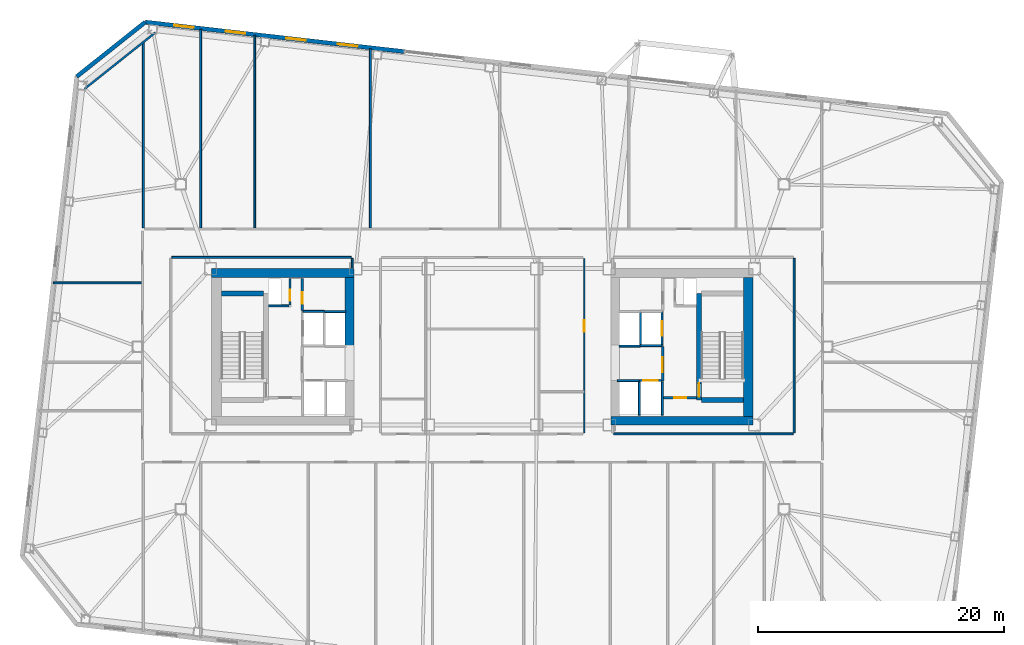
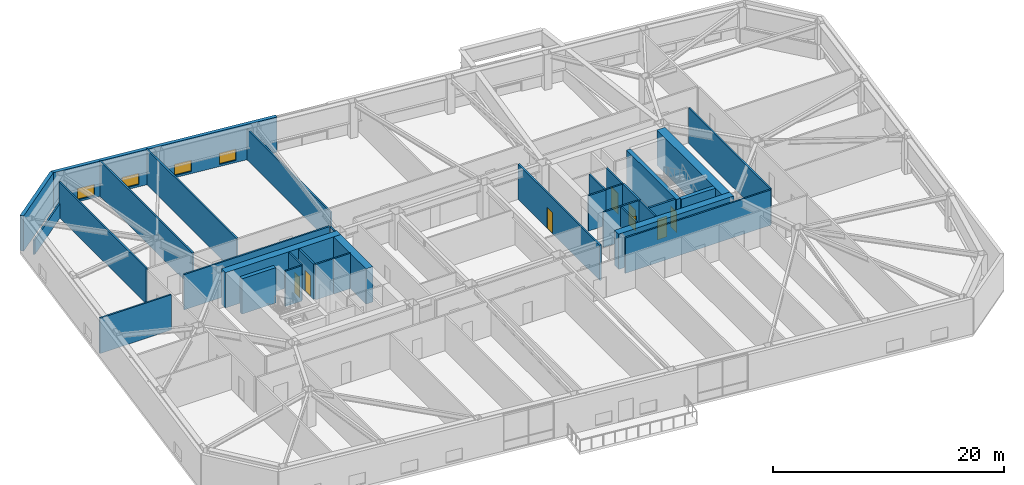
# One storey, part 13 of 21: 35 walls, 8 doors, 4 windows, 12 openings.
"""IFC4 building model written with IfcOpenShell, lengths in metres."""

import ifcopenshell
import ifcopenshell.guid

model = None  # the IFC model being written
_history = None  # IfcOwnerHistory: only IFC2X3 demands one
_inside = {}  # id of a spatial element -> (the spatial element, [elements in it])
_under = {}  # id of a project, library or spatial element -> (it, [spatial elements below it])
_declared = {}  # id of a project -> (the project, [libraries it declares])
_typed = {}  # id of a type object -> (the type object, [elements of that type])
_made_of = {}  # id of a material, layer set ... -> (it, [elements and type objects made of it])


def new_model(schema):
    """Start an empty IFC model of exactly this schema.

    Asked for "IFC4X3", IfcOpenShell would pick the latest addendum, in which some entities
    have other attributes; the version numbers below select the first issue.
    IFC2X3 requires an IfcOwnerHistory on every rooted entity: one is made here for all.
    """
    global model, _history
    if schema == "IFC4X3":
        model = ifcopenshell.file(schema_version=(4, 3, 0, 0))
    else:
        model = ifcopenshell.file(schema=schema)
    _inside.clear()
    _under.clear()
    _declared.clear()
    _typed.clear()
    _made_of.clear()
    _history = None
    if model.schema == "IFC2X3":
        org = make("IfcOrganization", Name="unknown")
        user = make(
            "IfcPersonAndOrganization",
            ThePerson=make("IfcPerson", FamilyName="unknown"),
            TheOrganization=org,
        )
        app = make(
            "IfcApplication",
            ApplicationDeveloper=org,
            Version="unknown",
            ApplicationFullName="unknown",
            ApplicationIdentifier="unknown",
        )
        _history = make(
            "IfcOwnerHistory",
            OwningUser=user,
            OwningApplication=app,
            ChangeAction="ADDED",
            CreationDate=0,
        )
    return model


def make(cls, **values):
    """One entity of the class cls with the attributes given. An attribute that is None is left unset."""
    return model.create_entity(
        cls, **{name: value for name, value in values.items() if value is not None}
    )


def rooted(cls, **values):
    """An entity with a GlobalId (a new one), such as an element, a storey or a relation."""
    return make(cls, GlobalId=ifcopenshell.guid.new(), OwnerHistory=_history, **values)


def si_unit(unit_type, name, prefix=None):
    """IfcSIUnit, for example si_unit("LENGTHUNIT", "METRE", prefix="MILLI")."""
    return make("IfcSIUnit", UnitType=unit_type, Prefix=prefix, Name=name)


def assignment(units):
    """IfcUnitAssignment: the units of a project."""
    return None if units is None else make("IfcUnitAssignment", Units=units)


def point(xyz):
    """IfcCartesianPoint."""
    return None if xyz is None else make("IfcCartesianPoint", Coordinates=xyz)


def direction(xyz):
    """IfcDirection."""
    return None if xyz is None else make("IfcDirection", DirectionRatios=xyz)


def frame(location, z_axis=None, x_axis=None):
    """IfcAxis2Placement3D, a coordinate frame: its origin and axes. An axis left out is left unset."""
    return make(
        "IfcAxis2Placement3D",
        Location=point(location),
        Axis=direction(z_axis),
        RefDirection=direction(x_axis),
    )


def frame_2d(location, x_axis=None):
    """IfcAxis2Placement2D, a coordinate frame in the plane: its origin and x axis."""
    return make(
        "IfcAxis2Placement2D", Location=point(location), RefDirection=direction(x_axis)
    )


def origin():
    """The frame at (0, 0, 0) with its axes left unset."""
    return frame((0.0, 0.0, 0.0))


def place(relative_to, where):
    """IfcLocalPlacement: puts the frame where relative to a parent placement (None: the world)."""
    return make(
        "IfcLocalPlacement", PlacementRelTo=relative_to, RelativePlacement=where
    )


def context(
    kind, dimensions, precision=None, world=None, true_north=None, identifier=None
):
    """IfcGeometricRepresentationContext, for example the 3D "Model" context."""
    return make(
        "IfcGeometricRepresentationContext",
        ContextIdentifier=identifier,
        ContextType=kind,
        CoordinateSpaceDimension=dimensions,
        Precision=precision,
        WorldCoordinateSystem=world,
        TrueNorth=true_north,
    )


def subcontext(parent, identifier, kind, view, scale=None):
    """IfcGeometricRepresentationSubContext, for example "Body" below "Model"."""
    return make(
        "IfcGeometricRepresentationSubContext",
        ContextIdentifier=identifier,
        ContextType=kind,
        ParentContext=parent,
        TargetScale=scale,
        TargetView=view,
    )


def project(units=None, contexts=None):
    """IfcProject with its units and contexts."""
    return rooted(
        "IfcProject",
        Name="project",
        RepresentationContexts=contexts,
        UnitsInContext=assignment(units),
    )


def spatial(cls, under=None, at=None, **own):
    """A site, building, storey or space (cls), placed at a placement, below another one or the project."""
    s = rooted(cls, ObjectPlacement=at, **own)
    if under is not None:
        _under.setdefault(under.id(), (under, []))[1].append(s)
    return s


def profile(cls, at=None, kind="AREA", **sizes):
    """A parametric profile (cls). Its sizes go by their IFC names, for example OverallWidth=200.0."""
    return make(cls, ProfileType=kind, Position=at, **sizes)


def rectangle(**sizes):
    """IfcRectangleProfileDef."""
    return profile("IfcRectangleProfileDef", **sizes)


def extrude(swept, where, along, depth):
    """IfcExtrudedAreaSolid: the profile swept, set in the frame where, extruded along a direction by depth."""
    return make(
        "IfcExtrudedAreaSolid",
        SweptArea=swept,
        Position=where,
        ExtrudedDirection=direction(along),
        Depth=depth,
    )


def shape(context_of_items, identifier, shape_type, items):
    """IfcShapeRepresentation: the items that make up one representation, for example the "Body"."""
    return make(
        "IfcShapeRepresentation",
        ContextOfItems=context_of_items,
        RepresentationIdentifier=identifier,
        RepresentationType=shape_type,
        Items=items,
    )


def material(Name=None, Category=None):
    """IfcMaterial."""
    return make("IfcMaterial", Name=Name, Category=Category)


def layer(
    of_material, thickness, ventilated=None, Name=None, Category=None, Priority=None
):
    """IfcMaterialLayer: one layer of a wall or slab, of a material (None: an air gap)."""
    return make(
        "IfcMaterialLayer",
        Material=of_material,
        LayerThickness=thickness,
        IsVentilated=ventilated,
        Name=Name,
        Category=Category,
        Priority=Priority,
    )


def layer_set(layers, Name=None):
    """IfcMaterialLayerSet."""
    return make("IfcMaterialLayerSet", MaterialLayers=layers, LayerSetName=Name)


def made_of(thing, what):
    """Note that an element or type object is made of a material, layer set ...; save() writes the relation."""
    if what is not None:
        _made_of.setdefault(what.id(), (what, []))[1].append(thing)
    return thing


def type_object(cls, material=None, **own):
    """A type object (cls), such as IfcWallType, which elements share."""
    return made_of(rooted(cls, **own), material)


def element(
    cls,
    number,
    at=None,
    inside=None,
    cuts=None,
    type_object=None,
    material=None,
    context=None,
    identifier="Body",
    shape_type=None,
    held_by="IfcProductDefinitionShape",
    body=None,
    shapes=None,
    **own,
):
    """One element of the class cls, such as IfcWall. Its Tag is "e" and its number.

    at: its placement. inside: the storey or other place that contains it. cuts: it is an
    opening in that element (IfcRelVoidsElement). A single representation is given by context,
    identifier, shape_type and body (its items); several are given by shapes. held_by: the class
    of the entity that holds the representations. save() writes the other relations.
    """
    e = rooted(cls, Tag="e%d" % number, ObjectPlacement=at, **own)
    if body is not None:
        shapes = [shape(context, identifier, shape_type, body)]
    if shapes is not None:
        e.Representation = make(held_by, Representations=shapes)
    if inside is not None:
        _inside.setdefault(inside.id(), (inside, []))[1].append(e)
    if cuts is not None:
        rooted(
            "IfcRelVoidsElement", RelatingBuildingElement=cuts, RelatedOpeningElement=e
        )
    if type_object is not None:
        _typed.setdefault(type_object.id(), (type_object, []))[1].append(e)
    return made_of(e, material)


def fill(opening, filler):
    """IfcRelFillsElement: the door or window that sits in an opening."""
    return rooted(
        "IfcRelFillsElement",
        RelatingOpeningElement=opening,
        RelatedBuildingElement=filler,
    )


def aggregate(whole, parts):
    """IfcRelAggregates: a whole, such as a stair, and the parts it consists of."""
    return rooted("IfcRelAggregates", RelatingObject=whole, RelatedObjects=parts)


def save(model, path):
    """Write the relations noted so far, then the file.

    IfcRelAggregates (storeys below a building ...), IfcRelContainedInSpatialStructure (elements
    in a storey), IfcRelDefinesByType, IfcRelAssociatesMaterial and IfcRelDeclares: one each for
    every whole, place, type object, material and project.
    """
    for whole, parts in _under.values():
        aggregate(whole, parts)
    for where, things in _inside.values():
        rooted(
            "IfcRelContainedInSpatialStructure",
            RelatedElements=things,
            RelatingStructure=where,
        )
    for kind, things in _typed.values():
        rooted("IfcRelDefinesByType", RelatedObjects=things, RelatingType=kind)
    for what, things in _made_of.values():
        rooted("IfcRelAssociatesMaterial", RelatedObjects=things, RelatingMaterial=what)
    for by, libraries in _declared.values():
        rooted("IfcRelDeclares", RelatingContext=by, RelatedDefinitions=libraries)
    model.write(path)


model = new_model("IFC4")

# Units and contexts
model_context = context("Model", 3, precision=1e-05, world=origin(), true_north=direction((0.0, 1.0)))
body_context = subcontext(model_context, "Body", "Model", "MODEL_VIEW")
ifc_project = project(units=[si_unit("LENGTHUNIT", "METRE"), si_unit("AREAUNIT", "SQUARE_METRE"), si_unit("VOLUMEUNIT", "CUBIC_METRE"), si_unit("PLANEANGLEUNIT", "RADIAN"), si_unit("MASSUNIT", "GRAM", prefix="KILO")], contexts=[model_context])

# Site, building, storey
site_placement = place(None, origin())
site = spatial("IfcSite", under=ifc_project, at=site_placement, CompositionType="ELEMENT")
building_placement = place(site_placement, origin())
building = spatial("IfcBuilding", under=site, at=building_placement, Name="Tavrogorsk Clinical Tower", CompositionType="ELEMENT")
storey_placement = place(building_placement, frame((0.0, 0.0, 109.39990234375)))
storey = spatial("IfcBuildingStorey", under=building, at=storey_placement, Name="L24", CompositionType="ELEMENT", Elevation=109.39990234375)

# Wall, opening, door
ifc_material_1 = material(Name="Concrete B60", Category="concrete")
ifc_layer_1 = layer(ifc_material_1, 0.199951171875)
ifc_layer_set_1 = layer_set([ifc_layer_1], Name="Concrete B60")
wall_type_1 = type_object("IfcWallType", Name="CoreFireWall_200", PredefinedType="SOLIDWALL", material=ifc_layer_set_1)
wall_1_placement = place(storey_placement, frame((-14.639892578125, 2.9599609375, 0.0), z_axis=(0.0, 0.0, 1.0), x_axis=(0.0, 1.0, 0.0)))
wall_1 = element("IfcWall", 1, at=wall_1_placement, inside=storey, type_object=wall_type_1, Name="L24 Core West North Core Room East Wall", PredefinedType="SOLIDWALL", context=body_context, shape_type="SweptSolid", body=[
    extrude(rectangle(XDim=2.60009765625, YDim=0.199951171875, at=frame_2d((1.300048828125, 0.0))), origin(), (0.0, 0.0, 1.0), 3.739990234375),
])
opening_1_placement = place(wall_1_placement, frame((0.52001953125, 0.0, 0.0)))
opening_1 = element("IfcOpeningElement", 2, at=opening_1_placement, cuts=wall_1, Name="Opening ID-02", PredefinedType="OPENING", context=body_context, shape_type="SweptSolid", body=[
    extrude(rectangle(XDim=0.949951171875, YDim=2.199951171875, at=frame_2d((0.47509765625, 1.10009765625))), frame((0.0, 0.10986328125, 0.0), z_axis=(0.0, -1.0, 0.0), x_axis=(1.0, 0.0, 0.0)), (0.0, 0.0, 1.0), 0.219970703125),
])
ifc_material_2 = material(Name="Laminated timber leaf on aluminium frame", Category="wood")
door_type_1 = type_object("IfcDoorType", Name="InteriorDoor_ID02_950", OperationType="NOTDEFINED", PredefinedType="DOOR", material=ifc_material_2)
door_1_placement = place(opening_1_placement, origin())
door_1 = element("IfcDoor", 3, at=door_1_placement, inside=storey, type_object=door_type_1, Name="L24 Core West Core Telemetry Room Door", OperationType="SINGLE_SWING_LEFT", OverallHeight=2.199951171875, OverallWidth=0.949951171875, PredefinedType="DOOR", context=body_context, shape_type="SweptSolid", body=[
    extrude(rectangle(XDim=0.949951171875, YDim=2.199951171875, at=frame_2d((0.47509765625, 1.10009765625))), frame((0.0, 0.02490234375, 0.0), z_axis=(0.0, -1.0, 0.0), x_axis=(1.0, 0.0, 0.0)), (0.0, 0.0, 1.0), 0.050048828125),
])
fill(opening_1, door_1)

wall_2_placement = place(storey_placement, frame((14.719970703125, -4.139892578125, 0.0), z_axis=(0.0, 0.0, 1.0), x_axis=(1.0, 0.0, 0.0)))
wall_2 = element("IfcWall", 4, at=wall_2_placement, inside=storey, type_object=wall_type_1, Name="L24 Core East South Core Room Fire Wall", PredefinedType="SOLIDWALL", context=body_context, shape_type="SweptSolid", body=[
    extrude(rectangle(XDim=2.659912109375, YDim=0.199951171875, at=frame_2d((1.330078125, 0.0))), origin(), (0.0, 0.0, 1.0), 3.739990234375),
])
opening_2_placement = place(wall_2_placement, frame((0.8798828125, 0.0, 0.0)))
opening_2 = element("IfcOpeningElement", 5, at=opening_2_placement, cuts=wall_2, Name="Opening ID-02", PredefinedType="OPENING", context=body_context, shape_type="SweptSolid", body=[
    extrude(rectangle(XDim=0.949951171875, YDim=2.199951171875, at=frame_2d((0.47509765625, 1.10009765625))), frame((0.0, 0.10986328125, 0.0), z_axis=(0.0, -1.0, 0.0), x_axis=(1.0, 0.0, 0.0)), (0.0, 0.0, 1.0), 0.219970703125),
])
door_2_placement = place(opening_2_placement, origin())
door_2 = element("IfcDoor", 6, at=door_2_placement, inside=storey, type_object=door_type_1, Name="L24 Core East South Core Room Door", OperationType="SINGLE_SWING_RIGHT", OverallHeight=2.199951171875, OverallWidth=0.949951171875, PredefinedType="DOOR", context=body_context, shape_type="SweptSolid", body=[
    extrude(rectangle(XDim=0.949951171875, YDim=2.199951171875, at=frame_2d((0.47509765625, 1.10009765625))), frame((0.0, 0.02490234375, 0.0), z_axis=(0.0, -1.0, 0.0), x_axis=(1.0, 0.0, 0.0)), (0.0, 0.0, 1.0), 0.050048828125),
])
fill(opening_2, door_2)

wall_3_placement = place(storey_placement, frame((14.639892578125, -2.780029296875, 0.0), z_axis=(0.0, 0.0, 1.0), x_axis=(0.0, 1.0, 0.0)))
wall_3 = element("IfcWall", 7, at=wall_3_placement, inside=storey, type_object=wall_type_1, Name="L24 Core East Firefighting Lobby Fire Wall", PredefinedType="SOLIDWALL", context=body_context, shape_type="SweptSolid", body=[
    extrude(rectangle(XDim=2.820068359375, YDim=0.199951171875, at=frame_2d((1.41015625, 0.0))), origin(), (0.0, 0.0, 1.0), 3.739990234375),
])
opening_3_placement = place(wall_3_placement, frame((0.72998046875, 0.0, 0.0)))
opening_3 = element("IfcOpeningElement", 8, at=opening_3_placement, cuts=wall_3, Name="Opening FD-01", PredefinedType="OPENING", context=body_context, shape_type="SweptSolid", body=[
    extrude(rectangle(XDim=1.199951171875, YDim=2.199951171875, at=frame_2d((0.60009765625, 1.10009765625))), frame((0.0, 0.10986328125, 0.0), z_axis=(0.0, -1.0, 0.0), x_axis=(1.0, 0.0, 0.0)), (0.0, 0.0, 1.0), 0.219970703125),
])
ifc_material_3 = material(Name="Galvanised steel fire-rated door assembly", Category="steel")
door_type_2 = type_object("IfcDoorType", Name="FireDoor_FD01_1200", OperationType="NOTDEFINED", PredefinedType="DOOR", material=ifc_material_3)
door_3_placement = place(opening_3_placement, origin())
door_3 = element("IfcDoor", 9, at=door_3_placement, inside=storey, type_object=door_type_2, Name="L24 Core East Firefighting Lobby Entry Door", OperationType="SINGLE_SWING_RIGHT", OverallHeight=2.199951171875, OverallWidth=1.199951171875, PredefinedType="DOOR", context=body_context, shape_type="SweptSolid", body=[
    extrude(rectangle(XDim=1.199951171875, YDim=2.199951171875, at=frame_2d((0.60009765625, 1.10009765625))), frame((0.0, 0.02490234375, 0.0), z_axis=(0.0, -1.0, 0.0), x_axis=(1.0, 0.0, 0.0)), (0.0, 0.0, 1.0), 0.050048828125),
])
fill(opening_3, door_3)

# Walls
ifc_material_4 = material(Name="Lightweight concrete blockwork B15", Category="masonry")
ifc_layer_2 = layer(ifc_material_4, 0.159912109375)
ifc_layer_set_2 = layer_set([ifc_layer_2], Name="Lightweight concrete blockwork B15")
wall_type_2 = type_object("IfcWallType", Name="PartitionWall_160", PredefinedType="PARTITIONING", material=ifc_layer_set_2)
wall_4_placement = place(storey_placement, frame((-26.5712890625, 25.534912109375, 0.0), z_axis=(0.0, 0.0, 1.0), x_axis=(-0.782617962887, -0.622502308564, 0.0)))
element("IfcWall", 10, at=wall_4_placement, inside=storey, type_object=wall_type_2, Name="L24 Corner Exoskeleton Brace Furring Wall 3", PredefinedType="PARTITIONING", context=body_context, shape_type="SweptSolid", body=[
    extrude(rectangle(XDim=7.35400390625, YDim=0.159912109375, at=frame_2d((3.677001953125, 0.0))), origin(), (0.0, 0.0, 1.0), 1.53515625),
])
wall_5_placement = place(storey_placement, frame((10.6650390625, -7.070068359375, 0.0), z_axis=(0.0, 0.0, 1.0), x_axis=(1.0, 0.0, 0.0)))
element("IfcWall", 11, at=wall_5_placement, inside=storey, type_object=wall_type_2, Name="L24 Corridor Partition 08", PredefinedType="PARTITIONING", context=body_context, shape_type="SweptSolid", body=[
    extrude(rectangle(XDim=14.570068359375, YDim=0.159912109375, at=frame_2d((7.28515625, 0.0))), origin(), (0.0, 0.0, 1.0), 3.739990234375),
])
wall_6_placement = place(storey_placement, frame((25.320068359375, -6.985107421875, 0.0), z_axis=(0.0, 0.0, 1.0), x_axis=(0.0, 1.0, 0.0)))
element("IfcWall", 12, at=wall_6_placement, inside=storey, type_object=wall_type_2, Name="L24 Corridor Partition 09", PredefinedType="PARTITIONING", context=body_context, shape_type="SweptSolid", body=[
    extrude(rectangle(XDim=14.170166015625, YDim=0.159912109375, at=frame_2d((7.0849609375, 0.0))), origin(), (0.0, 0.0, 1.0), 3.739990234375),
])

# Wall, opening, door
wall_7_placement = place(storey_placement, frame((8.27001953125, -6.985107421875, 0.0), z_axis=(0.0, 0.0, 1.0), x_axis=(0.0, 1.0, 0.0)))
wall_7 = element("IfcWall", 13, at=wall_7_placement, inside=storey, type_object=wall_type_2, Name="L24 Corridor Partition 10", PredefinedType="PARTITIONING", context=body_context, shape_type="SweptSolid", body=[
    extrude(rectangle(XDim=14.170166015625, YDim=0.159912109375, at=frame_2d((7.0849609375, 0.0))), origin(), (0.0, 0.0, 1.0), 3.739990234375),
])
opening_4_placement = place(wall_7_placement, frame((8.2109375, 0.0, 0.0)))
opening_4 = element("IfcOpeningElement", 14, at=opening_4_placement, cuts=wall_7, Name="Opening ID-02", PredefinedType="OPENING", context=body_context, shape_type="SweptSolid", body=[
    extrude(rectangle(XDim=0.949951171875, YDim=2.199951171875, at=frame_2d((0.47509765625, 1.10009765625))), frame((0.0, 0.08984375, 0.0), z_axis=(0.0, -1.0, 0.0), x_axis=(1.0, 0.0, 0.0)), (0.0, 0.0, 1.0), 0.179931640625),
])
door_4_placement = place(opening_4_placement, origin())
door_4 = element("IfcDoor", 15, at=door_4_placement, inside=storey, type_object=door_type_1, Name="L24 Attending Physician Office Door", OperationType="SINGLE_SWING_LEFT", OverallHeight=2.199951171875, OverallWidth=0.949951171875, PredefinedType="DOOR", context=body_context, shape_type="SweptSolid", body=[
    extrude(rectangle(XDim=0.949951171875, YDim=2.199951171875, at=frame_2d((0.47509765625, 1.10009765625))), frame((0.0, 0.02490234375, 0.0), z_axis=(0.0, -1.0, 0.0), x_axis=(1.0, 0.0, 0.0)), (0.0, 0.0, 1.0), 0.050048828125),
])
fill(opening_4, door_4)

# Walls
wall_8_placement = place(storey_placement, frame((-10.580078125, 6.419921875, 0.0), z_axis=(0.0, 0.0, 1.0), x_axis=(0.0, 1.0, 0.0)))
element("IfcWall", 16, at=wall_8_placement, inside=storey, type_object=wall_type_2, Name="L24 Corridor Partition 15", PredefinedType="PARTITIONING", context=body_context, shape_type="SweptSolid", body=[
    extrude(rectangle(XDim=0.76513671875, YDim=0.159912109375, at=frame_2d((0.382568359375, 0.0))), origin(), (0.0, 0.0, 1.0), 3.739990234375),
])
wall_9_placement = place(storey_placement, frame((-10.6650390625, 7.27001953125, 0.0), z_axis=(0.0, 0.0, 1.0), x_axis=(-1.0, 0.0, 0.0)))
element("IfcWall", 17, at=wall_9_placement, inside=storey, type_object=wall_type_2, Name="L24 Corridor Partition 16", PredefinedType="PARTITIONING", context=body_context, shape_type="SweptSolid", body=[
    extrude(rectangle(XDim=14.570068359375, YDim=0.159912109375, at=frame_2d((7.28515625, 0.0))), origin(), (0.0, 0.0, 1.0), 3.739990234375),
])
wall_10_placement = place(storey_placement, frame((-27.550048828125, 9.6650390625, 0.0), z_axis=(0.0, 0.0, 1.0), x_axis=(0.0, 1.0, 0.0)))
element("IfcWall", 18, at=wall_10_placement, inside=storey, type_object=wall_type_2, Name="L24 NW Wing Closure Partition", PredefinedType="PARTITIONING", context=body_context, shape_type="SweptSolid", body=[
    extrude(rectangle(XDim=15.108642578125, YDim=0.159912109375, at=frame_2d((7.55419921875, 0.0))), origin(), (0.0, 0.0, 1.0), 3.739990234375),
])
wall_11_placement = place(storey_placement, frame((-22.89990234375, 9.6650390625, 0.0), z_axis=(0.0, 0.0, 1.0), x_axis=(0.0, 1.0, 0.0)))
element("IfcWall", 19, at=wall_11_placement, inside=storey, type_object=wall_type_2, Name="L24 North Room Partition 1", PredefinedType="PARTITIONING", context=body_context, shape_type="SweptSolid", body=[
    extrude(rectangle(XDim=16.136474609375, YDim=0.159912109375, at=frame_2d((8.068359375, 0.0))), origin(), (0.0, 0.0, 1.0), 3.739990234375),
])
wall_12_placement = place(storey_placement, frame((-18.5, 9.6650390625, 0.0), z_axis=(0.0, 0.0, 1.0), x_axis=(0.0, 1.0, 0.0)))
element("IfcWall", 20, at=wall_12_placement, inside=storey, type_object=wall_type_2, Name="L24 North Room Partition 2", PredefinedType="PARTITIONING", context=body_context, shape_type="SweptSolid", body=[
    extrude(rectangle(XDim=15.63525390625, YDim=0.159912109375, at=frame_2d((7.817626953125, 0.0))), origin(), (0.0, 0.0, 1.0), 3.739990234375),
])
wall_13_placement = place(storey_placement, frame((-9.10009765625, 9.6650390625, 0.0), z_axis=(0.0, 0.0, 1.0), x_axis=(0.0, 1.0, 0.0)))
element("IfcWall", 21, at=wall_13_placement, inside=storey, type_object=wall_type_2, Name="L24 North Room Partition 3", PredefinedType="PARTITIONING", context=body_context, shape_type="SweptSolid", body=[
    extrude(rectangle(XDim=14.564208984375, YDim=0.159912109375, at=frame_2d((7.2822265625, 0.0))), origin(), (0.0, 0.0, 1.0), 3.235107421875),
])
wall_14_placement = place(storey_placement, frame((-34.857177734375, 5.199951171875, 0.0), z_axis=(0.0, 0.0, 1.0), x_axis=(1.0, 0.0, 0.0)))
element("IfcWall", 22, at=wall_14_placement, inside=storey, type_object=wall_type_2, Name="L24 W Wing Divider 3", PredefinedType="PARTITIONING", context=body_context, shape_type="SweptSolid", body=[
    extrude(rectangle(XDim=7.14208984375, YDim=0.159912109375, at=frame_2d((3.571044921875, 0.0))), origin(), (0.0, 0.0, 1.0), 3.739990234375),
])

# Wall, openings, windows
ifc_material_5 = material(Name="Precast concrete B45 with limestone cladding", Category="masonry")
ifc_layer_3 = layer(ifc_material_5, 0.340087890625)
ifc_layer_set_3 = layer_set([ifc_layer_3], Name="Precast concrete B45 with limestone cladding")
wall_type_3 = type_object("IfcWallType", Name="PrecastLimestoneWall_340", PredefinedType="STANDARD", material=ifc_layer_set_3)
wall_15_placement = place(storey_placement, frame((-6.314453125, 23.982177734375, 0.0), z_axis=(0.0, 0.0, 1.0), x_axis=(-0.993571362037, 0.113207546299, 0.0)))
wall_15 = element("IfcWall", 23, at=wall_15_placement, inside=storey, type_object=wall_type_3, Name="L24 N Limestone Facade Wall 3", PredefinedType="STANDARD", context=body_context, shape_type="SweptSolid", body=[
    extrude(rectangle(XDim=21.222900390625, YDim=0.340087890625, at=frame_2d((10.611328125, 0.0))), origin(), (0.0, 0.0, 1.0), 3.739990234375),
])
opening_5_placement = place(wall_15_placement, frame((17.264892578125, 0.0, 0.219970703125)))
opening_5 = element("IfcOpeningElement", 24, at=opening_5_placement, cuts=wall_15, Name="Opening WN-09", PredefinedType="OPENING", context=body_context, shape_type="SweptSolid", body=[
    extrude(rectangle(XDim=1.60009765625, YDim=1.199951171875, at=frame_2d((0.800048828125, 0.60009765625))), frame((0.0, 0.179931640625, 0.0), z_axis=(0.0, -1.0, 0.0), x_axis=(1.0, 0.0, 0.0)), (0.0, 0.0, 1.0), 0.360107421875),
])
opening_6_placement = place(wall_15_placement, frame((13.043701171875, 0.0, 0.219970703125)))
opening_6 = element("IfcOpeningElement", 25, at=opening_6_placement, cuts=wall_15, Name="Opening WN-09", PredefinedType="OPENING", context=body_context, shape_type="SweptSolid", body=[
    extrude(rectangle(XDim=1.60009765625, YDim=1.199951171875, at=frame_2d((0.800048828125, 0.60009765625))), frame((0.0, 0.179931640625, 0.0), z_axis=(0.0, -1.0, 0.0), x_axis=(1.0, 0.0, 0.0)), (0.0, 0.0, 1.0), 0.360107421875),
])
opening_7_placement = place(wall_15_placement, frame((8.087890625, 0.0, 0.219970703125)))
opening_7 = element("IfcOpeningElement", 26, at=opening_7_placement, cuts=wall_15, Name="Opening WN-09", PredefinedType="OPENING", context=body_context, shape_type="SweptSolid", body=[
    extrude(rectangle(XDim=1.60009765625, YDim=1.199951171875, at=frame_2d((0.800048828125, 0.60009765625))), frame((0.0, 0.179931640625, 0.0), z_axis=(0.0, -1.0, 0.0), x_axis=(1.0, 0.0, 0.0)), (0.0, 0.0, 1.0), 0.360107421875),
])
opening_8_placement = place(wall_15_placement, frame((3.866455078125, 0.0, 0.219970703125)))
opening_8 = element("IfcOpeningElement", 27, at=opening_8_placement, cuts=wall_15, Name="Opening WN-09", PredefinedType="OPENING", context=body_context, shape_type="SweptSolid", body=[
    extrude(rectangle(XDim=1.60009765625, YDim=1.199951171875, at=frame_2d((0.800048828125, 0.60009765625))), frame((0.0, 0.179931640625, 0.0), z_axis=(0.0, -1.0, 0.0), x_axis=(1.0, 0.0, 0.0)), (0.0, 0.0, 1.0), 0.360107421875),
])
ifc_material_6 = material(Name="Thermally broken aluminium frame and triple IGU", Category="aluminium")
window_type = type_object("IfcWindowType", Name="LowHeadTransWin_1600x1200", PartitioningType="DOUBLE_PANEL_VERTICAL", PredefinedType="WINDOW", material=ifc_material_6)
window_1_placement = place(opening_5_placement, origin())
window_1 = element("IfcWindow", 28, at=window_1_placement, inside=storey, type_object=window_type, Name="L24 N Chicago Window 01", OverallHeight=1.199951171875, OverallWidth=1.60009765625, PartitioningType="SINGLE_PANEL", PredefinedType="WINDOW", context=body_context, shape_type="SweptSolid", body=[
    extrude(rectangle(XDim=1.60009765625, YDim=1.199951171875, at=frame_2d((0.800048828125, 0.60009765625))), frame((0.0, 0.030029296875, 0.0), z_axis=(0.0, -1.0, 0.0), x_axis=(1.0, 0.0, 0.0)), (0.0, 0.0, 1.0), 0.06005859375),
])
fill(opening_5, window_1)
window_2_placement = place(opening_6_placement, origin())
window_2 = element("IfcWindow", 29, at=window_2_placement, inside=storey, type_object=window_type, Name="L24 N Chicago Window 02", OverallHeight=1.199951171875, OverallWidth=1.60009765625, PartitioningType="SINGLE_PANEL", PredefinedType="WINDOW", context=body_context, shape_type="SweptSolid", body=[
    extrude(rectangle(XDim=1.60009765625, YDim=1.199951171875, at=frame_2d((0.800048828125, 0.60009765625))), frame((0.0, 0.030029296875, 0.0), z_axis=(0.0, -1.0, 0.0), x_axis=(1.0, 0.0, 0.0)), (0.0, 0.0, 1.0), 0.06005859375),
])
fill(opening_6, window_2)
window_3_placement = place(opening_7_placement, origin())
window_3 = element("IfcWindow", 30, at=window_3_placement, inside=storey, type_object=window_type, Name="L24 N Chicago Window 03", OverallHeight=1.199951171875, OverallWidth=1.60009765625, PartitioningType="SINGLE_PANEL", PredefinedType="WINDOW", context=body_context, shape_type="SweptSolid", body=[
    extrude(rectangle(XDim=1.60009765625, YDim=1.199951171875, at=frame_2d((0.800048828125, 0.60009765625))), frame((0.0, 0.030029296875, 0.0), z_axis=(0.0, -1.0, 0.0), x_axis=(1.0, 0.0, 0.0)), (0.0, 0.0, 1.0), 0.06005859375),
])
fill(opening_7, window_3)
window_4_placement = place(opening_8_placement, origin())
window_4 = element("IfcWindow", 31, at=window_4_placement, inside=storey, type_object=window_type, Name="L24 N Chicago Window 04", OverallHeight=1.199951171875, OverallWidth=1.60009765625, PartitioningType="SINGLE_PANEL", PredefinedType="WINDOW", context=body_context, shape_type="SweptSolid", body=[
    extrude(rectangle(XDim=1.60009765625, YDim=1.199951171875, at=frame_2d((0.800048828125, 0.60009765625))), frame((0.0, 0.030029296875, 0.0), z_axis=(0.0, -1.0, 0.0), x_axis=(1.0, 0.0, 0.0)), (0.0, 0.0, 1.0), 0.06005859375),
])
fill(opening_8, window_4)

# Walls
wall_16_placement = place(storey_placement, frame((-27.40087890625, 26.384765625, 0.0), z_axis=(0.0, 0.0, 1.0), x_axis=(-0.78261359446, -0.622507800567, 0.0)))
element("IfcWall", 32, at=wall_16_placement, inside=storey, type_object=wall_type_3, Name="L24 Chamfered Corner Wall 3", PredefinedType="STANDARD", context=body_context, shape_type="SweptSolid", body=[
    extrude(rectangle(XDim=7.113525390625, YDim=0.340087890625, at=frame_2d((3.556640625, 0.0))), origin(), (0.0, 0.0, 1.0), 3.739990234375),
])
ifc_material_7 = material(Name="Lightweight concrete blockwork B25", Category="masonry")
ifc_layer_4 = layer(ifc_material_7, 0.159912109375)
ifc_layer_set_4 = layer_set([ifc_layer_4], Name="Lightweight concrete blockwork B25")
wall_type_4 = type_object("IfcWallType", Name="ShaftWall_160", PredefinedType="PARTITIONING", material=ifc_layer_set_4)
wall_17_placement = place(storey_placement, frame((-14.60009765625, 2.8798828125, 0.0), z_axis=(0.0, 0.0, 1.0), x_axis=(1.0, 0.0, 0.0)))
element("IfcWall", 33, at=wall_17_placement, inside=storey, type_object=wall_type_4, Name="L24 FFL-W Shaft North Wall", PredefinedType="PARTITIONING", context=body_context, shape_type="SweptSolid", body=[
    extrude(rectangle(XDim=1.760009765625, YDim=0.159912109375, at=frame_2d((0.8798828125, 0.0))), origin(), (0.0, 0.0, 1.0), 3.739990234375),
])
wall_18_placement = place(storey_placement, frame((-12.820068359375, 2.860107421875, 0.0), z_axis=(0.0, 0.0, 1.0), x_axis=(1.0, 0.0, 0.0)))
element("IfcWall", 34, at=wall_18_placement, inside=storey, type_object=wall_type_4, Name="L24 LP-H1 High-Zone Lift Rear Wall", PredefinedType="PARTITIONING", context=body_context, shape_type="SweptSolid", body=[
    extrude(rectangle(XDim=1.719970703125, YDim=0.159912109375, at=frame_2d((0.85986328125, 0.0))), origin(), (0.0, 0.0, 1.0), 3.739990234375),
])

# Wall, opening, door
wall_19_placement = place(storey_placement, frame((14.60009765625, 0.1201171875, 0.0), z_axis=(0.0, 0.0, 1.0), x_axis=(0.0, 1.0, 0.0)))
wall_19 = element("IfcWall", 35, at=wall_19_placement, inside=storey, type_object=wall_type_4, Name="L24 FFL-E Firefighting Lift Front Wall", PredefinedType="PARTITIONING", context=body_context, shape_type="SweptSolid", body=[
    extrude(rectangle(XDim=2.739990234375, YDim=0.159912109375, at=frame_2d((1.3701171875, 0.0))), origin(), (0.0, 0.0, 1.0), 3.739990234375),
])
opening_9_placement = place(wall_19_placement, frame((0.77001953125, 0.0, 0.0)))
opening_9 = element("IfcOpeningElement", 36, at=opening_9_placement, cuts=wall_19, Name="Opening LD", PredefinedType="OPENING", context=body_context, shape_type="SweptSolid", body=[
    extrude(rectangle(XDim=1.199951171875, YDim=2.199951171875, at=frame_2d((0.60009765625, 1.10009765625))), frame((0.0, 0.08984375, 0.0), z_axis=(0.0, -1.0, 0.0), x_axis=(1.0, 0.0, 0.0)), (0.0, 0.0, 1.0), 0.179931640625),
])
ifc_material_8 = material(Name="Brushed stainless steel AISI 304 sliding doors", Category="steel")
door_type_3 = type_object("IfcDoorType", Name="LiftLandingDoor_LD_1200", OperationType="SLIDING_TO_LEFT", PredefinedType="DOOR", material=ifc_material_8)
door_5_placement = place(opening_9_placement, origin())
door_5 = element("IfcDoor", 37, at=door_5_placement, inside=storey, type_object=door_type_3, Name="L24 FFL-E Sliding Lift Landing Door", OperationType="SLIDING_TO_LEFT", OverallHeight=2.199951171875, OverallWidth=1.199951171875, PredefinedType="DOOR", context=body_context, shape_type="SweptSolid", body=[
    extrude(rectangle(XDim=1.199951171875, YDim=2.199951171875, at=frame_2d((0.60009765625, 1.10009765625))), frame((0.0, 0.02490234375, 0.0), z_axis=(0.0, -1.0, 0.0), x_axis=(1.0, 0.0, 0.0)), (0.0, 0.0, 1.0), 0.050048828125),
])
fill(opening_9, door_5)

# Walls
wall_20_placement = place(storey_placement, frame((12.840087890625, 0.10009765625, 0.0), z_axis=(0.0, 0.0, 1.0), x_axis=(1.0, 0.0, 0.0)))
element("IfcWall", 38, at=wall_20_placement, inside=storey, type_object=wall_type_4, Name="L24 FFL-E Shaft South Wall", PredefinedType="PARTITIONING", context=body_context, shape_type="SweptSolid", body=[
    extrude(rectangle(XDim=1.760009765625, YDim=0.159912109375, at=frame_2d((0.8798828125, 0.0))), origin(), (0.0, 0.0, 1.0), 3.739990234375),
])
wall_21_placement = place(storey_placement, frame((12.840087890625, 0.179931640625, 0.0), z_axis=(0.0, 0.0, 1.0), x_axis=(0.0, 1.0, 0.0)))
element("IfcWall", 39, at=wall_21_placement, inside=storey, type_object=wall_type_4, Name="L24 FFL-E Shaft Back Wall", PredefinedType="PARTITIONING", context=body_context, shape_type="SweptSolid", body=[
    extrude(rectangle(XDim=2.6201171875, YDim=0.159912109375, at=frame_2d((1.31005859375, 0.0))), origin(), (0.0, 0.0, 1.0), 3.739990234375),
])

# Wall, opening, door
wall_22_placement = place(storey_placement, frame((12.77001953125, -2.75, 0.0), z_axis=(0.0, 0.0, 1.0), x_axis=(1.0, 0.0, 0.0)))
wall_22 = element("IfcWall", 40, at=wall_22_placement, inside=storey, type_object=wall_type_4, Name="L24 LP-L2 Lift Shaft Portal Wall", PredefinedType="PARTITIONING", context=body_context, shape_type="SweptSolid", body=[
    extrude(rectangle(XDim=1.760009765625, YDim=0.159912109375, at=frame_2d((0.8798828125, 0.0))), origin(), (0.0, 0.0, 1.0), 3.739990234375),
])
opening_10_placement = place(wall_22_placement, frame((0.280029296875, 0.0, 0.0)))
opening_10 = element("IfcOpeningElement", 41, at=opening_10_placement, cuts=wall_22, Name="Opening LD", PredefinedType="OPENING", context=body_context, shape_type="SweptSolid", body=[
    extrude(rectangle(XDim=1.199951171875, YDim=2.199951171875, at=frame_2d((0.60009765625, 1.10009765625))), frame((0.0, 0.08984375, 0.0), z_axis=(0.0, -1.0, 0.0), x_axis=(1.0, 0.0, 0.0)), (0.0, 0.0, 1.0), 0.179931640625),
])
door_6_placement = place(opening_10_placement, origin())
door_6 = element("IfcDoor", 42, at=door_6_placement, inside=storey, type_object=door_type_3, Name="L24 LP-L2 Sliding Lift Landing Door", OperationType="SLIDING_TO_LEFT", OverallHeight=2.199951171875, OverallWidth=1.199951171875, PredefinedType="DOOR", context=body_context, shape_type="SweptSolid", body=[
    extrude(rectangle(XDim=1.199951171875, YDim=2.199951171875, at=frame_2d((0.60009765625, 1.10009765625))), frame((0.0, 0.02490234375, 0.0), z_axis=(0.0, -1.0, 0.0), x_axis=(1.0, 0.0, 0.0)), (0.0, 0.0, 1.0), 0.050048828125),
])
fill(opening_10, door_6)

# Walls
for number, where, z_axis, x_axis, name in (
    (43, (12.75, -5.5400390625, 0.0), (0.0, 0.0, 1.0), (0.0, 1.0, 0.0), "L24 LP-L2 Lift Hoistway Divider Wall"),
    (44, (14.610107421875, -5.5400390625, 0.0), (0.0, 0.0, 1.0), (0.0, 1.0, 0.0), "L24 LP-L2 Lift Hoistway Outer Cheek Wall"),
):
    element("IfcWall", number, at=place(storey_placement, frame(where, z_axis=z_axis, x_axis=x_axis)), inside=storey, type_object=wall_type_4, Name=name, PredefinedType="PARTITIONING", context=body_context, shape_type="SweptSolid", body=[
        extrude(rectangle(XDim=2.699951171875, YDim=0.159912109375, at=frame_2d((1.35009765625, 0.0))), origin(), (0.0, 0.0, 1.0), 3.739990234375),
    ])
wall_23_placement = place(storey_placement, frame((10.969970703125, -2.75, 0.0), z_axis=(0.0, 0.0, 1.0), x_axis=(1.0, 0.0, 0.0)))
element("IfcWall", 45, at=wall_23_placement, inside=storey, type_object=wall_type_4, Name="L24 LP-M2 Lift Shaft Portal Wall", PredefinedType="PARTITIONING", context=body_context, shape_type="SweptSolid", body=[
    extrude(rectangle(XDim=1.760009765625, YDim=0.159912109375, at=frame_2d((0.8798828125, 0.0))), origin(), (0.0, 0.0, 1.0), 3.739990234375),
])
wall_24_placement = place(storey_placement, frame((11.10009765625, 0.06005859375, 0.0), z_axis=(0.0, 0.0, 1.0), x_axis=(1.0, 0.0, 0.0)))
element("IfcWall", 46, at=wall_24_placement, inside=storey, type_object=wall_type_4, Name="L24 LP-H2 High-Zone Lift Portal Wall", PredefinedType="PARTITIONING", context=body_context, shape_type="SweptSolid", body=[
    extrude(rectangle(XDim=1.719970703125, YDim=0.159912109375, at=frame_2d((0.85986328125, 0.0))), origin(), (0.0, 0.0, 1.0), 3.739990234375),
])

# Wall, opening, door
wall_25_placement = place(storey_placement, frame((-15.639892578125, 3.405029296875, 0.0), z_axis=(0.0, 0.0, 1.0), x_axis=(0.0, 1.0, 0.0)))
wall_25 = element("IfcWall", 47, at=wall_25_placement, inside=storey, type_object=wall_type_4, Name="L24 Core West Riser West Wall", PredefinedType="PARTITIONING", context=body_context, shape_type="SweptSolid", body=[
    extrude(rectangle(XDim=2.155029296875, YDim=0.159912109375, at=frame_2d((1.07763671875, 0.0))), origin(), (0.0, 0.0, 1.0), 3.739990234375),
])
opening_11_placement = place(wall_25_placement, frame((0.35009765625, 0.0, 0.0)))
opening_11 = element("IfcOpeningElement", 48, at=opening_11_placement, cuts=wall_25, Name="Opening FD-02", PredefinedType="OPENING", context=body_context, shape_type="SweptSolid", body=[
    extrude(rectangle(XDim=0.89990234375, YDim=2.199951171875, at=frame_2d((0.449951171875, 1.10009765625))), frame((0.0, 0.08984375, 0.0), z_axis=(0.0, -1.0, 0.0), x_axis=(1.0, 0.0, 0.0)), (0.0, 0.0, 1.0), 0.179931640625),
])
ifc_material_9 = material(Name="Galvanised steel fire-rated door assembly", Category="steel")
door_type_4 = type_object("IfcDoorType", Name="FireDoor_FD02_900", OperationType="NOTDEFINED", PredefinedType="DOOR", material=ifc_material_9)
door_7_placement = place(opening_11_placement, origin())
door_7 = element("IfcDoor", 49, at=door_7_placement, inside=storey, type_object=door_type_4, Name="L24 Core West Electrical Riser Access Door", OperationType="SINGLE_SWING_LEFT", OverallHeight=2.199951171875, OverallWidth=0.89990234375, PredefinedType="DOOR", context=body_context, shape_type="SweptSolid", body=[
    extrude(rectangle(XDim=0.89990234375, YDim=2.199951171875, at=frame_2d((0.449951171875, 1.10009765625))), frame((0.0, 0.02490234375, 0.0), z_axis=(0.0, -1.0, 0.0), x_axis=(1.0, 0.0, 0.0)), (0.0, 0.0, 1.0), 0.050048828125),
])
fill(opening_11, door_7)

# Walls
wall_26_placement = place(storey_placement, frame((-17.3798828125, 3.320068359375, 0.0), z_axis=(0.0, 0.0, 1.0), x_axis=(1.0, 0.0, 0.0)))
element("IfcWall", 50, at=wall_26_placement, inside=storey, type_object=wall_type_4, Name="L24 Core West Riser South Wall", PredefinedType="PARTITIONING", context=body_context, shape_type="SweptSolid", body=[
    extrude(rectangle(XDim=1.65478515625, YDim=0.159912109375, at=frame_2d((0.827392578125, 0.0))), origin(), (0.0, 0.0, 1.0), 3.739990234375),
])
ifc_material_10 = material(Name="Concrete B80", Category="concrete")
ifc_layer_5 = layer(ifc_material_10, 0.39990234375)
ifc_layer_set_5 = layer_set([ifc_layer_5], Name="Concrete B80")
wall_type_5 = type_object("IfcWallType", Name="ShearWall_400", PredefinedType="SHEAR", material=ifc_layer_set_5)
wall_27_placement = place(storey_placement, frame((-21.199951171875, 4.324951171875, 0.0), z_axis=(0.0, 0.0, 1.0), x_axis=(1.0, 0.0, 0.0)))
element("IfcWall", 51, at=wall_27_placement, inside=storey, type_object=wall_type_5, Name="L24 Core West Stair Shaft North Shear Wall", PredefinedType="SHEAR", context=body_context, shape_type="SweptSolid", body=[
    extrude(rectangle(XDim=3.39990234375, YDim=0.39990234375, at=frame_2d((1.699951171875, 0.0))), origin(), (0.0, 0.0, 1.0), 3.739990234375),
])

# Wall, opening, door
wall_28_placement = place(storey_placement, frame((17.60009765625, -4.324951171875, 0.0), z_axis=(0.0, 0.0, 1.0), x_axis=(0.0, 1.0, 0.0)))
wall_28 = element("IfcWall", 52, at=wall_28_placement, inside=storey, type_object=wall_type_5, Name="L24 Core East Stair Shaft Inner Shear Wall", PredefinedType="SHEAR", context=body_context, shape_type="SweptSolid", body=[
    extrude(rectangle(XDim=8.64990234375, YDim=0.39990234375, at=frame_2d((4.324951171875, 0.0))), origin(), (0.0, 0.0, 1.0), 3.739990234375),
])
opening_12_placement = place(wall_28_placement, frame((0.25, 0.0, 0.0)))
opening_12 = element("IfcOpeningElement", 53, at=opening_12_placement, cuts=wall_28, Name="Opening SD-01", PredefinedType="OPENING", context=body_context, shape_type="SweptSolid", body=[
    extrude(rectangle(XDim=1.10009765625, YDim=2.199951171875, at=frame_2d((0.550048828125, 1.10009765625))), frame((0.0, 0.2099609375, 0.0), z_axis=(0.0, -1.0, 0.0), x_axis=(1.0, 0.0, 0.0)), (0.0, 0.0, 1.0), 0.419921875),
])
ifc_material_11 = material(Name="Galvanised steel smoke-tight fire door assembly", Category="steel")
door_type_5 = type_object("IfcDoorType", Name="StairFireDoor_SD01_1100", OperationType="NOTDEFINED", PredefinedType="DOOR", material=ifc_material_11)
door_8_placement = place(opening_12_placement, origin())
door_8 = element("IfcDoor", 54, at=door_8_placement, inside=storey, type_object=door_type_5, Name="L24 ST-E Exit Stair Door", OperationType="SINGLE_SWING_RIGHT", OverallHeight=2.199951171875, OverallWidth=1.10009765625, PredefinedType="DOOR", context=body_context, shape_type="SweptSolid", body=[
    extrude(rectangle(XDim=1.10009765625, YDim=2.199951171875, at=frame_2d((0.550048828125, 1.10009765625))), frame((0.0, 0.02490234375, 0.0), z_axis=(0.0, -1.0, 0.0), x_axis=(1.0, 0.0, 0.0)), (0.0, 0.0, 1.0), 0.050048828125),
])
fill(opening_12, door_8)

# Walls
wall_29_placement = place(storey_placement, frame((17.800048828125, -4.324951171875, 0.0), z_axis=(0.0, 0.0, 1.0), x_axis=(1.0, 0.0, 0.0)))
element("IfcWall", 55, at=wall_29_placement, inside=storey, type_object=wall_type_5, Name="L24 Core East Stair Shaft South Shear Wall", PredefinedType="SHEAR", context=body_context, shape_type="SweptSolid", body=[
    extrude(rectangle(XDim=3.39990234375, YDim=0.39990234375, at=frame_2d((1.699951171875, 0.0))), origin(), (0.0, 0.0, 1.0), 3.739990234375),
])
ifc_material_12 = material(Name="Concrete B80", Category="concrete")
ifc_layer_6 = layer(ifc_material_12, 0.699951171875)
ifc_layer_set_6 = layer_set([ifc_layer_6], Name="Concrete B80")
wall_type_6 = type_object("IfcWallType", Name="ShearWall_700", PredefinedType="SHEAR", material=ifc_layer_set_6)
wall_30_placement = place(storey_placement, frame((-22.0, 6.0, 0.0), z_axis=(0.0, 0.0, 1.0), x_axis=(1.0, 0.0, 0.0)))
element("IfcWall", 56, at=wall_30_placement, inside=storey, type_object=wall_type_6, Name="L24 Core West North Shear Wall", PredefinedType="SHEAR", context=body_context, shape_type="SweptSolid", body=[
    extrude(rectangle(XDim=11.550048828125, YDim=0.699951171875, at=frame_2d((5.77490234375, 0.0))), origin(), (0.0, 0.0, 1.0), 3.739990234375),
])
wall_31_placement = place(storey_placement, frame((-10.800048828125, 0.050048828125, 0.0), z_axis=(0.0, 0.0, 1.0), x_axis=(0.0, 1.0, 0.0)))
element("IfcWall", 57, at=wall_31_placement, inside=storey, type_object=wall_type_6, Name="L24 Core West Inner North Pier", PredefinedType="SHEAR", context=body_context, shape_type="SweptSolid", body=[
    extrude(rectangle(XDim=5.599853515625, YDim=0.699951171875, at=frame_2d((2.7998046875, 0.0))), origin(), (0.0, 0.0, 1.0), 3.739990234375),
])
wall_32_placement = place(storey_placement, frame((10.449951171875, -6.0, 0.0), z_axis=(0.0, 0.0, 1.0), x_axis=(1.0, 0.0, 0.0)))
element("IfcWall", 58, at=wall_32_placement, inside=storey, type_object=wall_type_6, Name="L24 Core East South Shear Wall", PredefinedType="SHEAR", context=body_context, shape_type="SweptSolid", body=[
    extrude(rectangle(XDim=11.550048828125, YDim=0.699951171875, at=frame_2d((5.77490234375, 0.0))), origin(), (0.0, 0.0, 1.0), 3.739990234375),
])
ifc_material_13 = material(Name="Concrete B80", Category="concrete")
ifc_layer_7 = layer(ifc_material_13, 0.800048828125)
ifc_layer_set_7 = layer_set([ifc_layer_7], Name="Concrete B80")
wall_type_7 = type_object("IfcWallType", Name="ShearWall_800", PredefinedType="SHEAR", material=ifc_layer_set_7)
wall_33_placement = place(storey_placement, frame((21.60009765625, -5.64990234375, 0.0), z_axis=(0.0, 0.0, 1.0), x_axis=(0.0, 1.0, 0.0)))
element("IfcWall", 59, at=wall_33_placement, inside=storey, type_object=wall_type_7, Name="L24 Core East End Shear Wall", PredefinedType="SHEAR", context=body_context, shape_type="SweptSolid", body=[
    extrude(rectangle(XDim=11.2998046875, YDim=0.800048828125, at=frame_2d((5.64990234375, 0.0))), origin(), (0.0, 0.0, 1.0), 3.739990234375),
])

save(model, "model.ifc")
